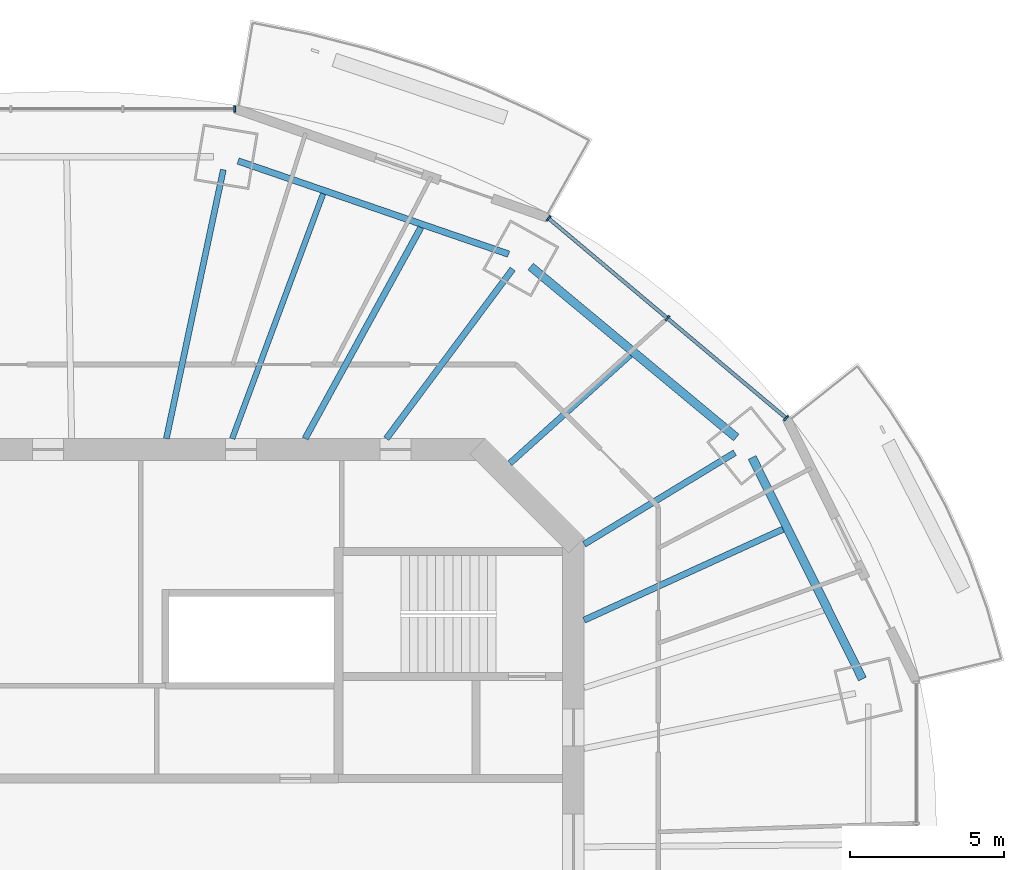
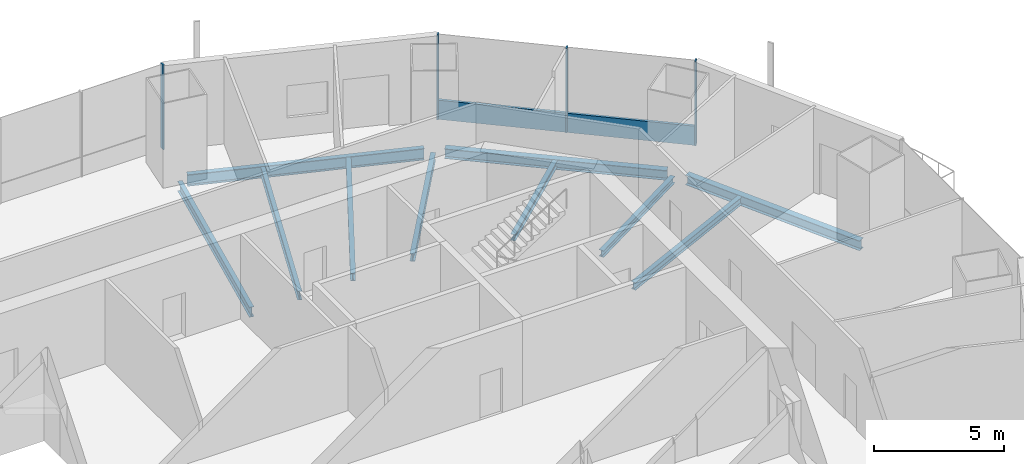
# One storey, part 6 of 16: 10 beams, 5 members, 2 elements without a shape of their own.
"""IFC4 building model written with IfcOpenShell, lengths in metres."""

from ifc_helpers import new_model, si_unit, direction, frame, origin, origin_2d, place, context, subcontext, project, spatial, rectangle, i_section, extrude, material, material_profile, profile_set, type_object, element, aggregate, save


model = new_model("IFC4")

# Units and contexts
model_context = context("Model", 3, precision=1e-05, world=origin(), true_north=direction((0.0, 1.0)))
body_context = subcontext(model_context, "Body", "Model", "MODEL_VIEW")
ifc_project = project(units=[si_unit("LENGTHUNIT", "METRE"), si_unit("AREAUNIT", "SQUARE_METRE"), si_unit("VOLUMEUNIT", "CUBIC_METRE"), si_unit("PLANEANGLEUNIT", "RADIAN"), si_unit("MASSUNIT", "GRAM", prefix="KILO")], contexts=[model_context])

# Site, building, storey
site_placement = place(None, origin())
site = spatial("IfcSite", under=ifc_project, at=site_placement, CompositionType="ELEMENT")
building_placement = place(site_placement, origin())
building = spatial("IfcBuilding", under=site, at=building_placement, Name="Marenthal Gate Tower", CompositionType="ELEMENT")
storey_placement = place(building_placement, frame((0.0, 0.0, 309.39990234375)))
storey = spatial("IfcBuildingStorey", under=building, at=storey_placement, Name="L69", CompositionType="ELEMENT", Elevation=309.39990234375)

# Curtain wall, members
ifc_material_1 = material(Name="Aluminium and glass", Category="aluminium")
curtain_wall_type = type_object("IfcCurtainWallType", Name="Curtain wall typical high", PredefinedType="NOTDEFINED", material=ifc_material_1)
curtain_wall_1_placement = place(storey_placement, origin())
curtain_wall_1 = element("IfcCurtainWall", 1, at=curtain_wall_1_placement, inside=storey, type_object=curtain_wall_type, Name="Curtain wall L69 bay 2", PredefinedType="NOTDEFINED")
ifc_material_2 = material(Name="Aluminium", Category="aluminium")
ifc_material_profile_1 = material_profile(ifc_material_2, rectangle(XDim=0.199951171875, YDim=0.06005859375, at=origin_2d()), Name="60x200 aluminium mullion")
ifc_profile_set_1 = profile_set([ifc_material_profile_1], Name="Aluminium")
member_type_1 = type_object("IfcMemberType", Name="Mullion 60x200 typical high", PredefinedType="MULLION", material=ifc_profile_set_1)
member_1_placement = place(storey_placement, frame((22.886474609375, 14.01513671875, 0.0), z_axis=(0.0, 0.0, 1.0), x_axis=(-0.643570293048, -0.765387011848, 0.0)))
member_1 = element("IfcMember", 2, at=member_1_placement, type_object=member_type_1, Name="Mullion L69 bay 2.1", PredefinedType="MULLION", context=body_context, shape_type="SweptSolid", body=[
    extrude(rectangle(XDim=0.199951171875, YDim=0.06005859375, at=origin_2d()), origin(), (0.0, 0.0, 1.0), 3.97021484375),
])
member_2_placement = place(storey_placement, frame((19.042236328125, 17.24755859375, 0.0), z_axis=(0.0, 0.0, 1.0), x_axis=(-0.643570293048, -0.765387011848, 0.0)))
member_2 = element("IfcMember", 3, at=member_2_placement, type_object=member_type_1, Name="Mullion L69 bay 2.2", PredefinedType="MULLION", context=body_context, shape_type="SweptSolid", body=[
    extrude(rectangle(XDim=0.199951171875, YDim=0.06005859375, at=origin_2d()), origin(), (0.0, 0.0, 1.0), 3.97021484375),
])
member_3_placement = place(storey_placement, frame((15.197998046875, 20.47998046875, 0.0), z_axis=(0.0, 0.0, 1.0), x_axis=(-0.643570293048, -0.765387011848, 0.0)))
member_3 = element("IfcMember", 4, at=member_3_placement, type_object=member_type_1, Name="Mullion L69 bay 2.3", PredefinedType="MULLION", context=body_context, shape_type="SweptSolid", body=[
    extrude(rectangle(XDim=0.199951171875, YDim=0.06005859375, at=origin_2d()), origin(), (0.0, 0.0, 1.0), 3.97021484375),
])

# Curtain wall, member
curtain_wall_2_placement = place(storey_placement, origin())
curtain_wall_2 = element("IfcCurtainWall", 5, at=curtain_wall_2_placement, inside=storey, type_object=curtain_wall_type, Name="Curtain wall L69 bay 4", PredefinedType="NOTDEFINED")
member_4_placement = place(storey_placement, frame((5.039306640625, 24.01904296875, 0.0), z_axis=(0.0, 0.0, 1.0), x_axis=(0.0, -1.0, 0.0)))
member_4 = element("IfcMember", 6, at=member_4_placement, type_object=member_type_1, Name="Mullion L69 bay 4.1", PredefinedType="MULLION", context=body_context, shape_type="SweptSolid", body=[
    extrude(rectangle(XDim=0.199951171875, YDim=0.06005859375, at=origin_2d()), origin(), (0.0, 0.0, 1.0), 3.97021484375),
])
aggregate(curtain_wall_2, [member_4])

# Member
ifc_material_3 = material(Name="Aluminium", Category="aluminium")
ifc_material_profile_2 = material_profile(ifc_material_3, rectangle(XDim=0.1201171875, YDim=0.89990234375, at=origin_2d()), Name="120x900 aluminium transom")
ifc_profile_set_2 = profile_set([ifc_material_profile_2], Name="Aluminium")
member_type_2 = type_object("IfcMemberType", Name="Transom 120x900 typical high", PredefinedType="USERDEFINED", material=ifc_profile_set_2)
member_5_placement = place(storey_placement, frame((22.863525390625, 14.034423828125, 0.4501953125), z_axis=(-0.765383983227, 0.643573894918, 0.0), x_axis=(-0.643573894918, -0.765383983227, 0.0)))
member_5 = element("IfcMember", 7, at=member_5_placement, type_object=member_type_2, Name="Transom L69 bay 2", ObjectType="TRANSOM", PredefinedType="USERDEFINED", context=body_context, shape_type="SweptSolid", body=[
    extrude(rectangle(XDim=0.1201171875, YDim=0.89990234375, at=origin_2d()), origin(), (0.0, 0.0, 1.0), 9.9853515625),
])

aggregate(curtain_wall_1, [member_1, member_2, member_3, member_5])

# Beams
ifc_material_4 = material(Name="Steel S355", Category="steel")
ifc_material_profile_3 = material_profile(ifc_material_4, i_section(OverallWidth=0.202880859375, OverallDepth=0.302001953125, WebThickness=0.007568359375, FlangeThickness=0.01318359375, FilletRadius=0.0126953125, at=origin_2d()), Name="W310X60")
ifc_profile_set_3 = profile_set([ifc_material_profile_3], Name="Steel S355")
beam_type_1 = type_object("IfcBeamType", Name="W310X60 beam", PredefinedType="BEAM", material=ifc_profile_set_3)
beam_1_placement = place(storey_placement, frame((17.841552734375, 16.0576171875, -0.330810546875), z_axis=(-0.743289515338, -0.668969877042, 0.0), x_axis=(0.668969877042, -0.743289515338, 0.0)))
element("IfcBeam", 8, at=beam_1_placement, inside=storey, type_object=beam_type_1, Name="BM-L69-19", PredefinedType="BEAM", context=body_context, shape_type="SweptSolid", body=[
    extrude(i_section(OverallWidth=0.202880859375, OverallDepth=0.302001953125, WebThickness=0.007568359375, FlangeThickness=0.01318359375, FilletRadius=0.0126953125, at=origin_2d()), origin(), (0.0, 0.0, 1.0), 5.242919921875),
])
ifc_material_5 = material(Name="Steel S355", Category="steel")
ifc_material_profile_4 = material_profile(ifc_material_5, i_section(OverallWidth=0.205078125, OverallDepth=0.31005859375, WebThickness=0.009521484375, FlangeThickness=0.016357421875, FilletRadius=0.0126953125, at=origin_2d()), Name="W310X74")
ifc_profile_set_4 = profile_set([ifc_material_profile_4], Name="Steel S355")
beam_type_2 = type_object("IfcBeamType", Name="W310X74 beam", PredefinedType="BEAM", material=ifc_profile_set_4)
beam_2_placement = place(storey_placement, frame((21.2255859375, 12.893310546875, -0.3349609375), z_axis=(-0.85466679747, -0.519176911373, 0.0), x_axis=(0.519176911373, -0.85466679747, 0.0)))
element("IfcBeam", 9, at=beam_2_placement, inside=storey, type_object=beam_type_2, Name="BM-L69-02", PredefinedType="BEAM", context=body_context, shape_type="SweptSolid", body=[
    extrude(i_section(OverallWidth=0.205078125, OverallDepth=0.31005859375, WebThickness=0.009521484375, FlangeThickness=0.016357421875, FilletRadius=0.0126953125, at=origin_2d()), origin(), (0.0, 0.0, 1.0), 5.70458984375),
])
ifc_material_6 = material(Name="Steel S355", Category="steel")
ifc_material_profile_5 = material_profile(ifc_material_6, i_section(OverallWidth=0.205078125, OverallDepth=0.35302734375, WebThickness=0.009521484375, FlangeThickness=0.016845703125, FilletRadius=0.014892578125, at=origin_2d()), Name="W360X79")
ifc_profile_set_5 = profile_set([ifc_material_profile_5], Name="Steel S355")
beam_type_3 = type_object("IfcBeamType", Name="W360X79 beam", PredefinedType="BEAM", material=ifc_profile_set_5)
beam_3_placement = place(storey_placement, frame((14.0380859375, 18.838134765625, -0.3564453125), z_axis=(-0.597525846499, -0.801849650973, 0.0), x_axis=(0.801849650973, -0.597525846499, 0.0)))
element("IfcBeam", 10, at=beam_3_placement, inside=storey, type_object=beam_type_3, Name="BM-L69-03", PredefinedType="BEAM", context=body_context, shape_type="SweptSolid", body=[
    extrude(i_section(OverallWidth=0.205078125, OverallDepth=0.35302734375, WebThickness=0.009521484375, FlangeThickness=0.016845703125, FilletRadius=0.014892578125, at=origin_2d()), origin(), (0.0, 0.0, 1.0), 6.84423828125),
])
beam_4_placement = place(storey_placement, frame((22.785400390625, 10.41748046875, -0.3564453125), z_axis=(-0.909446144779, -0.415821728324, 0.0), x_axis=(0.415821728324, -0.909446144779, 0.0)))
element("IfcBeam", 11, at=beam_4_placement, inside=storey, type_object=beam_type_3, Name="BM-L69-18", PredefinedType="BEAM", context=body_context, shape_type="SweptSolid", body=[
    extrude(i_section(OverallWidth=0.205078125, OverallDepth=0.35302734375, WebThickness=0.009521484375, FlangeThickness=0.016845703125, FilletRadius=0.014892578125, at=origin_2d()), origin(), (0.0, 0.0, 1.0), 7.076171875),
])
beam_5_placement = place(storey_placement, frame((11.066650390625, 20.18603515625, -0.3564453125), z_axis=(-0.480740187166, -0.876863086487, 0.0), x_axis=(0.876863086487, -0.480740187166, 0.0)))
element("IfcBeam", 12, at=beam_5_placement, inside=storey, type_object=beam_type_3, Name="BM-L69-20", PredefinedType="BEAM", context=body_context, shape_type="SweptSolid", body=[
    extrude(i_section(OverallWidth=0.205078125, OverallDepth=0.35302734375, WebThickness=0.009521484375, FlangeThickness=0.016845703125, FilletRadius=0.014892578125, at=origin_2d()), origin(), (0.0, 0.0, 1.0), 7.7958984375),
])
ifc_material_7 = material(Name="Steel S355", Category="steel")
ifc_material_profile_6 = material_profile(ifc_material_7, i_section(OverallWidth=0.180908203125, OverallDepth=0.4169921875, WebThickness=0.010986328125, FlangeThickness=0.018310546875, FilletRadius=0.01025390625, at=origin_2d()), Name="W410X85")
ifc_profile_set_6 = profile_set([ifc_material_profile_6], Name="Steel S355")
beam_type_4 = type_object("IfcBeamType", Name="W410X85 beam", PredefinedType="BEAM", material=ifc_profile_set_6)
beam_6_placement = place(storey_placement, frame((7.902587890625, 21.275390625, -0.388427734375), z_axis=(-0.348203930571, -0.937418808609, 0.0), x_axis=(0.937418808609, -0.348203930571, 0.0)))
element("IfcBeam", 13, at=beam_6_placement, inside=storey, type_object=beam_type_4, Name="BM-L69-21", PredefinedType="BEAM", context=body_context, shape_type="SweptSolid", body=[
    extrude(i_section(OverallWidth=0.180908203125, OverallDepth=0.4169921875, WebThickness=0.010986328125, FlangeThickness=0.018310546875, FilletRadius=0.01025390625, at=origin_2d()), origin(), (0.0, 0.0, 1.0), 8.454345703125),
])
ifc_material_8 = material(Name="Steel S355", Category="steel")
ifc_material_profile_7 = material_profile(ifc_material_8, i_section(OverallWidth=0.279052734375, OverallDepth=0.4619140625, WebThickness=0.0107421875, FlangeThickness=0.017333984375, FilletRadius=0.010009765625, at=origin_2d()), Name="W460X113")
ifc_profile_set_7 = profile_set([ifc_material_profile_7], Name="Steel S355")
beam_type_5 = type_object("IfcBeamType", Name="W460X113 beam", PredefinedType="BEAM", material=ifc_profile_set_7)
beam_7_placement = place(storey_placement, frame((25.356689453125, 5.569580078125, -0.410888671875), z_axis=(-0.445957794183, 0.895053990443, 0.0), x_axis=(-0.895053990443, -0.445957794183, 0.0)))
element("IfcBeam", 14, at=beam_7_placement, inside=storey, type_object=beam_type_5, Name="BM-L69-41", PredefinedType="BEAM", context=body_context, shape_type="SweptSolid", body=[
    extrude(i_section(OverallWidth=0.279052734375, OverallDepth=0.4619140625, WebThickness=0.0107421875, FlangeThickness=0.017333984375, FilletRadius=0.010009765625, at=origin_2d()), origin(), (0.0, 0.0, 1.0), 8.012451171875),
])
beam_8_placement = place(storey_placement, frame((21.27392578125, 13.385498046875, -0.410888671875), z_axis=(-0.768962779386, 0.639293550662, 0.0), x_axis=(-0.639293550662, -0.768962779386, 0.0)))
element("IfcBeam", 15, at=beam_8_placement, inside=storey, type_object=beam_type_5, Name="BM-L69-42", PredefinedType="BEAM", context=body_context, shape_type="SweptSolid", body=[
    extrude(i_section(OverallWidth=0.279052734375, OverallDepth=0.4619140625, WebThickness=0.0107421875, FlangeThickness=0.017333984375, FilletRadius=0.010009765625, at=origin_2d()), origin(), (0.0, 0.0, 1.0), 8.656982421875),
])
ifc_material_9 = material(Name="Steel S355", Category="steel")
ifc_material_profile_8 = material_profile(ifc_material_9, i_section(OverallWidth=0.193115234375, OverallDepth=0.467041015625, WebThickness=0.011474609375, FlangeThickness=0.01904296875, FilletRadius=0.010009765625, at=origin_2d()), Name="W460X97")
ifc_profile_set_8 = profile_set([ifc_material_profile_8], Name="Steel S355")
beam_type_6 = type_object("IfcBeamType", Name="W460X97 beam", PredefinedType="BEAM", material=ifc_profile_set_8)
beam_9_placement = place(storey_placement, frame((4.672607421875, 22.052734375, -0.413330078125), z_axis=(-0.207286939733, -0.978280187173, 0.0), x_axis=(0.978280187173, -0.207286939733, 0.0)))
element("IfcBeam", 16, at=beam_9_placement, inside=storey, type_object=beam_type_6, Name="BM-L69-04", PredefinedType="BEAM", context=body_context, shape_type="SweptSolid", body=[
    extrude(i_section(OverallWidth=0.193115234375, OverallDepth=0.467041015625, WebThickness=0.011474609375, FlangeThickness=0.01904296875, FilletRadius=0.010009765625, at=origin_2d()), origin(), (0.0, 0.0, 1.0), 8.895751953125),
])
ifc_material_10 = material(Name="Steel S355", Category="steel")
ifc_material_profile_9 = material_profile(ifc_material_10, i_section(OverallWidth=0.2119140625, OverallDepth=0.5439453125, WebThickness=0.01318359375, FlangeThickness=0.021240234375, FilletRadius=0.0126953125, at=origin_2d()), Name="W530X123")
ifc_profile_set_9 = profile_set([ifc_material_profile_9], Name="Steel S355")
beam_type_7 = type_object("IfcBeamType", Name="W530X123 beam", PredefinedType="BEAM", material=ifc_profile_set_9)
beam_10_placement = place(storey_placement, frame((13.90576171875, 19.320556640625, -0.451904296875), z_axis=(-0.945520555147, 0.325562405377, 0.0), x_axis=(-0.325562405377, -0.945520555147, 0.0)))
element("IfcBeam", 17, at=beam_10_placement, inside=storey, type_object=beam_type_7, Name="BM-L69-43", PredefinedType="BEAM", context=body_context, shape_type="SweptSolid", body=[
    extrude(i_section(OverallWidth=0.2119140625, OverallDepth=0.5439453125, WebThickness=0.01318359375, FlangeThickness=0.021240234375, FilletRadius=0.0126953125, at=origin_2d()), origin(), (0.0, 0.0, 1.0), 9.259033203125),
])

save(model, "model.ifc")
